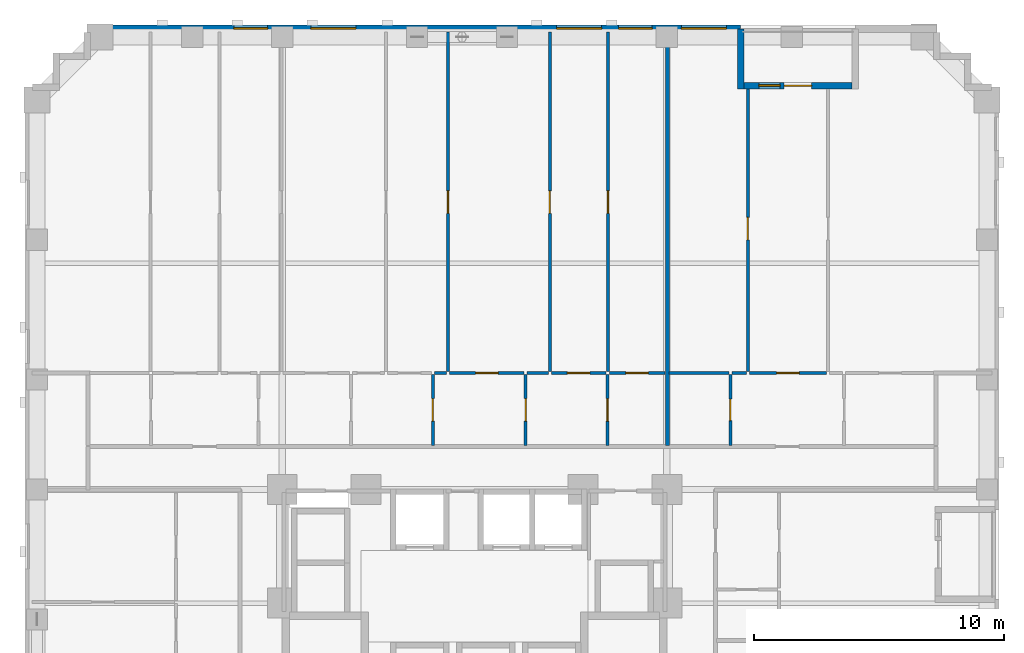
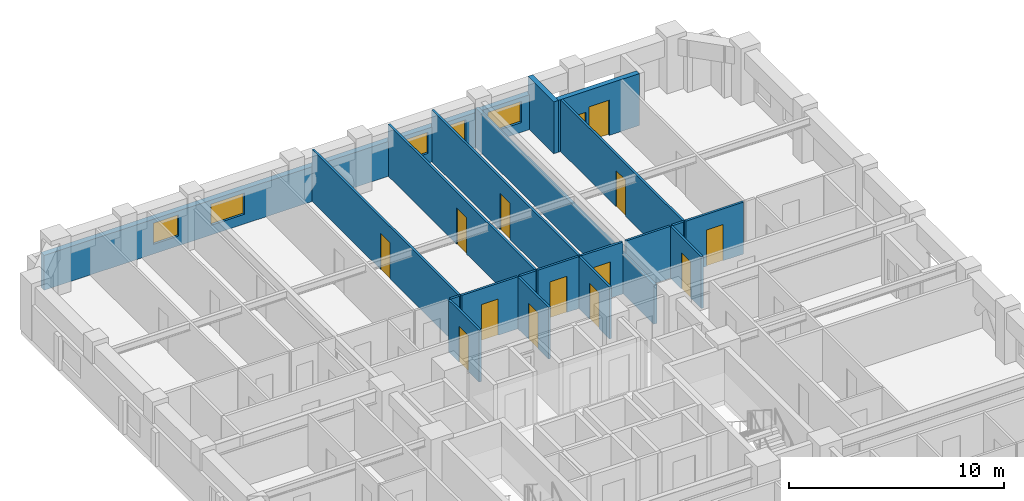
# One storey, part 8 of 14: 20 walls, 13 doors, 6 windows, 19 openings.
"""IFC4 building model written with IfcOpenShell, lengths in metres."""

from ifc_helpers import new_model, si_unit, derived_unit, direction, frame, frame_2d, origin, place, context, subcontext, project, spatial, rectangle, extrude, material, layer, layer_set, type_object, element, fill, save


model = new_model("IFC4")

# Units and contexts
model_context = context("Model", 3, precision=1e-05, world=origin(), true_north=direction((0.0, 1.0)))
body_context = subcontext(model_context, "Body", "Model", "MODEL_VIEW")
ifc_project = project(units=[si_unit("LENGTHUNIT", "METRE"), si_unit("AREAUNIT", "SQUARE_METRE"), si_unit("VOLUMEUNIT", "CUBIC_METRE"), si_unit("PLANEANGLEUNIT", "RADIAN"), si_unit("MASSUNIT", "GRAM", prefix="KILO"), derived_unit("THERMALTRANSMITTANCEUNIT", [(si_unit("MASSUNIT", "GRAM", prefix="KILO"), 1), (si_unit("TIMEUNIT", "SECOND"), -3), (si_unit("THERMODYNAMICTEMPERATUREUNIT", "KELVIN"), -1)])], contexts=[model_context])

# Site, building, storey
site_placement = place(None, origin())
site = spatial("IfcSite", under=ifc_project, at=site_placement, CompositionType="ELEMENT")
building_placement = place(site_placement, origin())
building = spatial("IfcBuilding", under=site, at=building_placement, Name="Korrvale Station Residences", CompositionType="ELEMENT")
storey_placement = place(building_placement, frame((0.0, 0.0, 48.199951171875)))
storey = spatial("IfcBuildingStorey", under=building, at=storey_placement, Name="L12", CompositionType="ELEMENT", Elevation=48.199951171875)

# Wall
ifc_material_1 = material(Name="Precast concrete C45/55", Category="concrete")
ifc_layer_1 = layer(ifc_material_1, 0.260009765625, Name="Precast concrete C45/55")
ifc_layer_set_1 = layer_set([ifc_layer_1], Name="Precast concrete C45/55")
wall_type_1 = type_object("IfcWallType", Name="WAL-EXT-LOG260", PredefinedType="SOLIDWALL", material=ifc_layer_set_1)
wall_1_placement = place(storey_placement, frame((36.14990234375, 47.43994140625, 0.0), z_axis=(0.0, 0.0, 1.0), x_axis=(0.0, -1.0, 0.0)))
element("IfcWall", 1, at=wall_1_placement, inside=storey, type_object=wall_type_1, Name="L12 Recessed Loggia Wall BAL-L12-N1-L", PredefinedType="SOLIDWALL", context=body_context, shape_type="SweptSolid", body=[
    extrude(rectangle(XDim=2.39990234375, YDim=0.260009765625, at=frame_2d((1.199951171875, 0.0))), origin(), (0.0, 0.0, 1.0), 2.93994140625),
])

# Wall, openings, door, window
wall_2_placement = place(storey_placement, frame((36.283935546875, 45.169921875, 0.0), z_axis=(0.0, 0.0, 1.0), x_axis=(1.0, 0.0, 0.0)))
wall_2 = element("IfcWall", 2, at=wall_2_placement, inside=storey, type_object=wall_type_1, Name="L12 Recessed Loggia Wall BAL-L12-N1-B", PredefinedType="SOLIDWALL", context=body_context, shape_type="SweptSolid", body=[
    extrude(rectangle(XDim=4.33203125, YDim=0.260009765625, at=frame_2d((2.166015625, 0.0))), origin(), (0.0, 0.0, 1.0), 2.93994140625),
])
opening_1_placement = place(wall_2_placement, frame((1.615966796875, 0.0, 0.0)))
opening_1 = element("IfcOpeningElement", 3, at=opening_1_placement, cuts=wall_2, Name="Opening BD-01", PredefinedType="OPENING", context=body_context, shape_type="SweptSolid", body=[
    extrude(rectangle(XDim=1.10009765625, YDim=2.0, at=frame_2d((0.550048828125, 1.0))), frame((0.0, 0.14013671875, 0.0), z_axis=(0.0, -1.0, 0.0), x_axis=(1.0, 0.0, 0.0)), (0.0, 0.0, 1.0), 0.280029296875),
])
opening_2_placement = place(wall_2_placement, frame((0.60595703125, 0.0, 0.550048828125)))
opening_2 = element("IfcOpeningElement", 4, at=opening_2_placement, cuts=wall_2, Name="Opening W-11", PredefinedType="OPENING", context=body_context, shape_type="SweptSolid", body=[
    extrude(rectangle(XDim=0.85009765625, YDim=1.199951171875, at=frame_2d((0.425048828125, 0.60009765625))), frame((0.0, 0.14013671875, 0.0), z_axis=(0.0, -1.0, 0.0), x_axis=(1.0, 0.0, 0.0)), (0.0, 0.0, 1.0), 0.280029296875),
])
ifc_material_2 = material(Name="Exterior thermally broken aluminium glazed balcony door", Category="aluminium")
door_type_1 = type_object("IfcDoorType", Name="DR-EXT-BAL", OperationType="NOTDEFINED", PredefinedType="DOOR", material=ifc_material_2)
door_1_placement = place(opening_1_placement, origin())
door_1 = element("IfcDoor", 5, at=door_1_placement, inside=storey, type_object=door_type_1, Name="L12 Loggia Balcony Door BAL-L12-N1", OperationType="SINGLE_SWING_LEFT", OverallHeight=2.0, OverallWidth=1.10009765625, PredefinedType="DOOR", context=body_context, shape_type="SweptSolid", body=[
    extrude(rectangle(XDim=1.10009765625, YDim=2.0, at=frame_2d((0.550048828125, 1.0))), frame((0.0, 0.02490234375, 0.0), z_axis=(0.0, -1.0, 0.0), x_axis=(1.0, 0.0, 0.0)), (0.0, 0.0, 1.0), 0.050048828125),
])
fill(opening_1, door_1)
ifc_material_3 = material(Name="Thermally broken aluminium frame with triple low-e glazing", Category="aluminium")
window_type_1 = type_object("IfcWindowType", Name="WIN-W11", PartitioningType="SINGLE_PANEL", PredefinedType="WINDOW", material=ifc_material_3)
window_1_placement = place(opening_2_placement, origin())
window_1 = element("IfcWindow", 6, at=window_1_placement, inside=storey, type_object=window_type_1, Name="L12 Punched Window 18", OverallHeight=1.199951171875, OverallWidth=0.85009765625, PartitioningType="SINGLE_PANEL", PredefinedType="WINDOW", context=body_context, shape_type="SweptSolid", body=[
    extrude(rectangle(XDim=0.85009765625, YDim=1.199951171875, at=frame_2d((0.425048828125, 0.60009765625))), frame((0.0, 0.030029296875, 0.0), z_axis=(0.0, -1.0, 0.0), x_axis=(1.0, 0.0, 0.0)), (0.0, 0.0, 1.0), 0.06005859375),
])
fill(opening_2, window_1)

# Wall, openings, windows
ifc_layer_2 = layer(ifc_material_1, 0.300048828125, Name="Precast concrete C45/55")
ifc_layer_set_2 = layer_set([ifc_layer_2], Name="Precast concrete C45/55")
wall_type_2 = type_object("IfcWallType", Name="WAL-EXT-PC300", PredefinedType="SOLIDWALL", material=ifc_layer_set_2)
wall_3_placement = place(storey_placement, frame((10.0, 47.449951171875, 0.0), z_axis=(0.0, 0.0, 1.0), x_axis=(1.0, 0.0, 0.0)))
wall_3 = element("IfcWall", 7, at=wall_3_placement, inside=storey, type_object=wall_type_2, Name="L12 North Exterior Precast Wall 1", PredefinedType="SOLIDWALL", context=body_context, shape_type="SweptSolid", body=[
    extrude(rectangle(XDim=26.14990234375, YDim=0.300048828125, at=frame_2d((13.074951171875, 0.0))), origin(), (0.0, 0.0, 1.0), 1.97509765625),
])
opening_3_placement = place(wall_3_placement, frame((5.862060546875, 0.0, 0.550048828125)))
opening_3 = element("IfcOpeningElement", 8, at=opening_3_placement, cuts=wall_3, Name="Opening W-10", PredefinedType="OPENING", context=body_context, shape_type="SweptSolid", body=[
    extrude(rectangle(XDim=1.35009765625, YDim=1.199951171875, at=frame_2d((0.675048828125, 0.60009765625))), frame((0.0, 0.16015625, 0.0), z_axis=(0.0, -1.0, 0.0), x_axis=(1.0, 0.0, 0.0)), (0.0, 0.0, 1.0), 0.320068359375),
])
opening_4_placement = place(wall_3_placement, frame((8.944091796875, 0.0, 0.550048828125)))
opening_4 = element("IfcOpeningElement", 9, at=opening_4_placement, cuts=wall_3, Name="Opening W-09", PredefinedType="OPENING", context=body_context, shape_type="SweptSolid", body=[
    extrude(rectangle(XDim=1.800048828125, YDim=1.199951171875, at=frame_2d((0.89990234375, 0.60009765625))), frame((0.0, 0.16015625, 0.0), z_axis=(0.0, -1.0, 0.0), x_axis=(1.0, 0.0, 0.0)), (0.0, 0.0, 1.0), 0.320068359375),
])
opening_5_placement = place(wall_3_placement, frame((18.7880859375, 0.0, 0.550048828125)))
opening_5 = element("IfcOpeningElement", 10, at=opening_5_placement, cuts=wall_3, Name="Opening W-09", PredefinedType="OPENING", context=body_context, shape_type="SweptSolid", body=[
    extrude(rectangle(XDim=1.800048828125, YDim=1.199951171875, at=frame_2d((0.89990234375, 0.60009765625))), frame((0.0, 0.16015625, 0.0), z_axis=(0.0, -1.0, 0.0), x_axis=(1.0, 0.0, 0.0)), (0.0, 0.0, 1.0), 0.320068359375),
])
opening_6_placement = place(wall_3_placement, frame((21.264892578125, 0.0, 0.550048828125)))
opening_6 = element("IfcOpeningElement", 11, at=opening_6_placement, cuts=wall_3, Name="Opening W-10", PredefinedType="OPENING", context=body_context, shape_type="SweptSolid", body=[
    extrude(rectangle(XDim=1.35009765625, YDim=1.199951171875, at=frame_2d((0.675048828125, 0.60009765625))), frame((0.0, 0.16015625, 0.0), z_axis=(0.0, -1.0, 0.0), x_axis=(1.0, 0.0, 0.0)), (0.0, 0.0, 1.0), 0.320068359375),
])
opening_7_placement = place(wall_3_placement, frame((23.784912109375, 0.0, 0.550048828125)))
opening_7 = element("IfcOpeningElement", 12, at=opening_7_placement, cuts=wall_3, Name="Opening W-09", PredefinedType="OPENING", context=body_context, shape_type="SweptSolid", body=[
    extrude(rectangle(XDim=1.800048828125, YDim=1.199951171875, at=frame_2d((0.89990234375, 0.60009765625))), frame((0.0, 0.16015625, 0.0), z_axis=(0.0, -1.0, 0.0), x_axis=(1.0, 0.0, 0.0)), (0.0, 0.0, 1.0), 0.320068359375),
])
window_type_2 = type_object("IfcWindowType", Name="WIN-W09", PartitioningType="DOUBLE_PANEL_VERTICAL", PredefinedType="WINDOW", material=ifc_material_3)
window_2_placement = place(opening_4_placement, origin())
window_2 = element("IfcWindow", 13, at=window_2_placement, inside=storey, type_object=window_type_2, Name="L12 Punched Window 14", OverallHeight=1.199951171875, OverallWidth=1.800048828125, PartitioningType="DOUBLE_PANEL_VERTICAL", PredefinedType="WINDOW", context=body_context, shape_type="SweptSolid", body=[
    extrude(rectangle(XDim=1.800048828125, YDim=1.199951171875, at=frame_2d((0.89990234375, 0.60009765625))), frame((0.0, 0.030029296875, 0.0), z_axis=(0.0, -1.0, 0.0), x_axis=(1.0, 0.0, 0.0)), (0.0, 0.0, 1.0), 0.06005859375),
])
fill(opening_4, window_2)
window_3_placement = place(opening_5_placement, origin())
window_3 = element("IfcWindow", 14, at=window_3_placement, inside=storey, type_object=window_type_2, Name="L12 Punched Window 15", OverallHeight=1.199951171875, OverallWidth=1.800048828125, PartitioningType="DOUBLE_PANEL_VERTICAL", PredefinedType="WINDOW", context=body_context, shape_type="SweptSolid", body=[
    extrude(rectangle(XDim=1.800048828125, YDim=1.199951171875, at=frame_2d((0.89990234375, 0.60009765625))), frame((0.0, 0.030029296875, 0.0), z_axis=(0.0, -1.0, 0.0), x_axis=(1.0, 0.0, 0.0)), (0.0, 0.0, 1.0), 0.06005859375),
])
fill(opening_5, window_3)
window_4_placement = place(opening_7_placement, origin())
window_4 = element("IfcWindow", 15, at=window_4_placement, inside=storey, type_object=window_type_2, Name="L12 Punched Window 17", OverallHeight=1.199951171875, OverallWidth=1.800048828125, PartitioningType="DOUBLE_PANEL_VERTICAL", PredefinedType="WINDOW", context=body_context, shape_type="SweptSolid", body=[
    extrude(rectangle(XDim=1.800048828125, YDim=1.199951171875, at=frame_2d((0.89990234375, 0.60009765625))), frame((0.0, 0.030029296875, 0.0), z_axis=(0.0, -1.0, 0.0), x_axis=(1.0, 0.0, 0.0)), (0.0, 0.0, 1.0), 0.06005859375),
])
fill(opening_7, window_4)
window_type_3 = type_object("IfcWindowType", Name="WIN-W10", PartitioningType="SINGLE_PANEL", PredefinedType="WINDOW", material=ifc_material_3)
window_5_placement = place(opening_3_placement, origin())
window_5 = element("IfcWindow", 16, at=window_5_placement, inside=storey, type_object=window_type_3, Name="L12 Punched Window 13", OverallHeight=1.199951171875, OverallWidth=1.35009765625, PartitioningType="SINGLE_PANEL", PredefinedType="WINDOW", context=body_context, shape_type="SweptSolid", body=[
    extrude(rectangle(XDim=1.35009765625, YDim=1.199951171875, at=frame_2d((0.675048828125, 0.60009765625))), frame((0.0, 0.030029296875, 0.0), z_axis=(0.0, -1.0, 0.0), x_axis=(1.0, 0.0, 0.0)), (0.0, 0.0, 1.0), 0.06005859375),
])
fill(opening_3, window_5)
window_6_placement = place(opening_6_placement, origin())
window_6 = element("IfcWindow", 17, at=window_6_placement, inside=storey, type_object=window_type_3, Name="L12 Punched Window 16", OverallHeight=1.199951171875, OverallWidth=1.35009765625, PartitioningType="SINGLE_PANEL", PredefinedType="WINDOW", context=body_context, shape_type="SweptSolid", body=[
    extrude(rectangle(XDim=1.35009765625, YDim=1.199951171875, at=frame_2d((0.675048828125, 0.60009765625))), frame((0.0, 0.030029296875, 0.0), z_axis=(0.0, -1.0, 0.0), x_axis=(1.0, 0.0, 0.0)), (0.0, 0.0, 1.0), 0.06005859375),
])
fill(opening_6, window_6)

# Wall, opening, door
ifc_material_4 = material(Name="Acoustic steel-stud gypsum board partition", Category="steel")
ifc_layer_3 = layer(ifc_material_4, 0.1201171875, Name="Acoustic steel-stud gypsum board partition")
ifc_layer_set_3 = layer_set([ifc_layer_3], Name="Acoustic steel-stud gypsum board partition")
wall_type_3 = type_object("IfcWallType", Name="WAL-PART-125", PredefinedType="PARTITIONING", material=ifc_layer_set_3)
wall_4_placement = place(storey_placement, frame((23.830078125, 30.760009765625, 0.0), z_axis=(0.0, 0.0, 1.0), x_axis=(0.0, 1.0, 0.0)))
wall_4 = element("IfcWall", 18, at=wall_4_placement, inside=storey, type_object=wall_type_3, Name="L12 Suite Partition U04-V34", PredefinedType="PARTITIONING", context=body_context, shape_type="SweptSolid", body=[
    extrude(rectangle(XDim=2.85009765625, YDim=0.1201171875, at=frame_2d((1.425048828125, 0.0))), origin(), (0.0, 0.0, 1.0), 2.93994140625),
])
opening_8_placement = place(wall_4_placement, frame((0.97509765625, 0.0, 0.0)))
opening_8 = element("IfcOpeningElement", 19, at=opening_8_placement, cuts=wall_4, Name="Opening DI-900", PredefinedType="OPENING", context=body_context, shape_type="SweptSolid", body=[
    extrude(rectangle(XDim=0.89990234375, YDim=2.050048828125, at=frame_2d((0.449951171875, 1.02490234375))), frame((0.0, 0.070068359375, 0.0), z_axis=(0.0, -1.0, 0.0), x_axis=(1.0, 0.0, 0.0)), (0.0, 0.0, 1.0), 0.14013671875),
])
ifc_material_5 = material(Name="Painted solid-core timber interior room door", Category="wood")
door_type_2 = type_object("IfcDoorType", Name="DR-INT-900", OperationType="NOTDEFINED", PredefinedType="DOOR", material=ifc_material_5)
door_2_placement = place(opening_8_placement, origin())
door_2 = element("IfcDoor", 20, at=door_2_placement, inside=storey, type_object=door_type_2, Name="L12 Apartment 2BR L12-U04 Storage Closet 2 Door", OperationType="SINGLE_SWING_RIGHT", OverallHeight=2.050048828125, OverallWidth=0.89990234375, PredefinedType="DOOR", context=body_context, shape_type="SweptSolid", body=[
    extrude(rectangle(XDim=0.89990234375, YDim=2.050048828125, at=frame_2d((0.449951171875, 1.02490234375))), frame((0.0, 0.02490234375, 0.0), z_axis=(0.0, -1.0, 0.0), x_axis=(1.0, 0.0, 0.0)), (0.0, 0.0, 1.0), 0.050048828125),
])
fill(opening_8, door_2)

wall_5_placement = place(storey_placement, frame((27.550048828125, 30.760009765625, 0.0), z_axis=(0.0, 0.0, 1.0), x_axis=(0.0, 1.0, 0.0)))
wall_5 = element("IfcWall", 21, at=wall_5_placement, inside=storey, type_object=wall_type_3, Name="L12 Suite Partition U04-V45", PredefinedType="PARTITIONING", context=body_context, shape_type="SweptSolid", body=[
    extrude(rectangle(XDim=2.85009765625, YDim=0.1201171875, at=frame_2d((1.425048828125, 0.0))), origin(), (0.0, 0.0, 1.0), 2.93994140625),
])
opening_9_placement = place(wall_5_placement, frame((0.97509765625, 0.0, 0.0)))
opening_9 = element("IfcOpeningElement", 22, at=opening_9_placement, cuts=wall_5, Name="Opening DI-900", PredefinedType="OPENING", context=body_context, shape_type="SweptSolid", body=[
    extrude(rectangle(XDim=0.89990234375, YDim=2.050048828125, at=frame_2d((0.449951171875, 1.02490234375))), frame((0.0, 0.070068359375, 0.0), z_axis=(0.0, -1.0, 0.0), x_axis=(1.0, 0.0, 0.0)), (0.0, 0.0, 1.0), 0.14013671875),
])
door_3_placement = place(opening_9_placement, origin())
door_3 = element("IfcDoor", 23, at=door_3_placement, inside=storey, type_object=door_type_2, Name="L12 Apartment 2BR L12-U04 Storage Closet 3 Door", OperationType="SINGLE_SWING_LEFT", OverallHeight=2.050048828125, OverallWidth=0.89990234375, PredefinedType="DOOR", context=body_context, shape_type="SweptSolid", body=[
    extrude(rectangle(XDim=0.89990234375, YDim=2.050048828125, at=frame_2d((0.449951171875, 1.02490234375))), frame((0.0, 0.02490234375, 0.0), z_axis=(0.0, -1.0, 0.0), x_axis=(1.0, 0.0, 0.0)), (0.0, 0.0, 1.0), 0.050048828125),
])
fill(opening_9, door_3)

# Wall
wall_6_placement = place(storey_placement, frame((23.889892578125, 33.669921875, 0.0), z_axis=(0.0, 0.0, 1.0), x_axis=(1.0, 0.0, 0.0)))
element("IfcWall", 24, at=wall_6_placement, inside=storey, type_object=wall_type_3, Name="L12 Suite Partition U04-H411", PredefinedType="PARTITIONING", context=body_context, shape_type="SweptSolid", body=[
    extrude(rectangle(XDim=0.483154296875, YDim=0.1201171875, at=frame_2d((0.24169921875, 0.0))), origin(), (0.0, 0.0, 1.0), 2.93994140625),
])

# Wall, opening, door
wall_7_placement = place(storey_placement, frame((24.492919921875, 33.669921875, 0.0), z_axis=(0.0, 0.0, 1.0), x_axis=(1.0, 0.0, 0.0)))
wall_7 = element("IfcWall", 25, at=wall_7_placement, inside=storey, type_object=wall_type_3, Name="L12 Suite Partition U04-H412", PredefinedType="PARTITIONING", context=body_context, shape_type="SweptSolid", body=[
    extrude(rectangle(XDim=2.9970703125, YDim=0.1201171875, at=frame_2d((1.49853515625, 0.0))), origin(), (0.0, 0.0, 1.0), 2.93994140625),
])
opening_10_placement = place(wall_7_placement, frame((1.048095703125, 0.0, 0.0)))
opening_10 = element("IfcOpeningElement", 26, at=opening_10_placement, cuts=wall_7, Name="Opening DI-900", PredefinedType="OPENING", context=body_context, shape_type="SweptSolid", body=[
    extrude(rectangle(XDim=0.89990234375, YDim=2.050048828125, at=frame_2d((0.449951171875, 1.02490234375))), frame((0.0, 0.070068359375, 0.0), z_axis=(0.0, -1.0, 0.0), x_axis=(1.0, 0.0, 0.0)), (0.0, 0.0, 1.0), 0.14013671875),
])
door_4_placement = place(opening_10_placement, origin())
door_4 = element("IfcDoor", 27, at=door_4_placement, inside=storey, type_object=door_type_2, Name="L12 Apartment 2BR L12-U04 Storage Closet 3 Door", OperationType="SINGLE_SWING_RIGHT", OverallHeight=2.050048828125, OverallWidth=0.89990234375, PredefinedType="DOOR", context=body_context, shape_type="SweptSolid", body=[
    extrude(rectangle(XDim=0.89990234375, YDim=2.050048828125, at=frame_2d((0.449951171875, 1.02490234375))), frame((0.0, 0.02490234375, 0.0), z_axis=(0.0, -1.0, 0.0), x_axis=(1.0, 0.0, 0.0)), (0.0, 0.0, 1.0), 0.050048828125),
])
fill(opening_10, door_4)

wall_8_placement = place(storey_placement, frame((30.820068359375, 30.760009765625, 0.0), z_axis=(0.0, 0.0, 1.0), x_axis=(0.0, 1.0, 0.0)))
wall_8 = element("IfcWall", 28, at=wall_8_placement, inside=storey, type_object=wall_type_3, Name="L12 Suite Partition U04-V56", PredefinedType="PARTITIONING", context=body_context, shape_type="SweptSolid", body=[
    extrude(rectangle(XDim=2.85009765625, YDim=0.1201171875, at=frame_2d((1.425048828125, 0.0))), origin(), (0.0, 0.0, 1.0), 2.93994140625),
])
opening_11_placement = place(wall_8_placement, frame((0.97509765625, 0.0, 0.0)))
opening_11 = element("IfcOpeningElement", 29, at=opening_11_placement, cuts=wall_8, Name="Opening DI-900", PredefinedType="OPENING", context=body_context, shape_type="SweptSolid", body=[
    extrude(rectangle(XDim=0.89990234375, YDim=2.050048828125, at=frame_2d((0.449951171875, 1.02490234375))), frame((0.0, 0.070068359375, 0.0), z_axis=(0.0, -1.0, 0.0), x_axis=(1.0, 0.0, 0.0)), (0.0, 0.0, 1.0), 0.14013671875),
])
door_5_placement = place(opening_11_placement, origin())
door_5 = element("IfcDoor", 30, at=door_5_placement, inside=storey, type_object=door_type_2, Name="L12 Apartment 2BR L12-U04 Storage Closet 4 Door", OperationType="SINGLE_SWING_LEFT", OverallHeight=2.050048828125, OverallWidth=0.89990234375, PredefinedType="DOOR", context=body_context, shape_type="SweptSolid", body=[
    extrude(rectangle(XDim=0.89990234375, YDim=2.050048828125, at=frame_2d((0.449951171875, 1.02490234375))), frame((0.0, 0.02490234375, 0.0), z_axis=(0.0, -1.0, 0.0), x_axis=(1.0, 0.0, 0.0)), (0.0, 0.0, 1.0), 0.050048828125),
])
fill(opening_11, door_5)

# Wall
wall_9_placement = place(storey_placement, frame((27.610107421875, 33.669921875, 0.0), z_axis=(0.0, 0.0, 1.0), x_axis=(1.0, 0.0, 0.0)))
element("IfcWall", 31, at=wall_9_placement, inside=storey, type_object=wall_type_3, Name="L12 Suite Partition U04-H512", PredefinedType="PARTITIONING", context=body_context, shape_type="SweptSolid", body=[
    extrude(rectangle(XDim=0.844970703125, YDim=0.1201171875, at=frame_2d((0.42236328125, 0.0))), origin(), (0.0, 0.0, 1.0), 2.93994140625),
])

# Wall, opening, door
wall_10_placement = place(storey_placement, frame((28.574951171875, 33.669921875, 0.0), z_axis=(0.0, 0.0, 1.0), x_axis=(1.0, 0.0, 0.0)))
wall_10 = element("IfcWall", 32, at=wall_10_placement, inside=storey, type_object=wall_type_3, Name="L12 Suite Partition U04-H513", PredefinedType="PARTITIONING", context=body_context, shape_type="SweptSolid", body=[
    extrude(rectangle(XDim=2.18505859375, YDim=0.1201171875, at=frame_2d((1.092529296875, 0.0))), origin(), (0.0, 0.0, 1.0), 2.93994140625),
])
opening_12_placement = place(wall_10_placement, frame((0.64306640625, 0.0, 0.0)))
opening_12 = element("IfcOpeningElement", 33, at=opening_12_placement, cuts=wall_10, Name="Opening DI-900", PredefinedType="OPENING", context=body_context, shape_type="SweptSolid", body=[
    extrude(rectangle(XDim=0.89990234375, YDim=2.050048828125, at=frame_2d((0.449951171875, 1.02490234375))), frame((0.0, 0.070068359375, 0.0), z_axis=(0.0, -1.0, 0.0), x_axis=(1.0, 0.0, 0.0)), (0.0, 0.0, 1.0), 0.14013671875),
])
door_6_placement = place(opening_12_placement, origin())
door_6 = element("IfcDoor", 34, at=door_6_placement, inside=storey, type_object=door_type_2, Name="L12 Apartment 2BR L12-U04 Storage Closet 4 Door", OperationType="SINGLE_SWING_RIGHT", OverallHeight=2.050048828125, OverallWidth=0.89990234375, PredefinedType="DOOR", context=body_context, shape_type="SweptSolid", body=[
    extrude(rectangle(XDim=0.89990234375, YDim=2.050048828125, at=frame_2d((0.449951171875, 1.02490234375))), frame((0.0, 0.02490234375, 0.0), z_axis=(0.0, -1.0, 0.0), x_axis=(1.0, 0.0, 0.0)), (0.0, 0.0, 1.0), 0.050048828125),
])
fill(opening_12, door_6)

wall_11_placement = place(storey_placement, frame((30.907958984375, 33.669921875, 0.0), z_axis=(0.0, 0.0, 1.0), x_axis=(1.0, 0.0, 0.0)))
wall_11 = element("IfcWall", 35, at=wall_11_placement, inside=storey, type_object=wall_type_3, Name="L12 Suite Partition U04-H614", PredefinedType="PARTITIONING", context=body_context, shape_type="SweptSolid", body=[
    extrude(rectangle(XDim=2.212158203125, YDim=0.1201171875, at=frame_2d((1.10595703125, 0.0))), origin(), (0.0, 0.0, 1.0), 2.93994140625),
])
opening_13_placement = place(wall_11_placement, frame((0.656005859375, 0.0, 0.0)))
opening_13 = element("IfcOpeningElement", 36, at=opening_13_placement, cuts=wall_11, Name="Opening DI-900", PredefinedType="OPENING", context=body_context, shape_type="SweptSolid", body=[
    extrude(rectangle(XDim=0.89990234375, YDim=2.050048828125, at=frame_2d((0.449951171875, 1.02490234375))), frame((0.0, 0.070068359375, 0.0), z_axis=(0.0, -1.0, 0.0), x_axis=(1.0, 0.0, 0.0)), (0.0, 0.0, 1.0), 0.14013671875),
])
door_7_placement = place(opening_13_placement, origin())
door_7 = element("IfcDoor", 37, at=door_7_placement, inside=storey, type_object=door_type_2, Name="L12 Apartment 2BR L12-U04 Storage Closet 5 Door", OperationType="SINGLE_SWING_LEFT", OverallHeight=2.050048828125, OverallWidth=0.89990234375, PredefinedType="DOOR", context=body_context, shape_type="SweptSolid", body=[
    extrude(rectangle(XDim=0.89990234375, YDim=2.050048828125, at=frame_2d((0.449951171875, 1.02490234375))), frame((0.0, 0.02490234375, 0.0), z_axis=(0.0, -1.0, 0.0), x_axis=(1.0, 0.0, 0.0)), (0.0, 0.0, 1.0), 0.050048828125),
])
fill(opening_13, door_7)

wall_12_placement = place(storey_placement, frame((24.43310546875, 33.72998046875, 0.0), z_axis=(0.0, 0.0, 1.0), x_axis=(0.0, 1.0, 0.0)))
wall_12 = element("IfcWall", 38, at=wall_12_placement, inside=storey, type_object=wall_type_3, Name="L12 Suite Partition U04-V1112", PredefinedType="PARTITIONING", context=body_context, shape_type="SweptSolid", body=[
    extrude(rectangle(XDim=13.590087890625, YDim=0.1201171875, at=frame_2d((6.794921875, 0.0))), origin(), (0.0, 0.0, 1.0), 2.93994140625),
])
opening_14_placement = place(wall_12_placement, frame((6.330078125, 0.0, 0.0)))
opening_14 = element("IfcOpeningElement", 39, at=opening_14_placement, cuts=wall_12, Name="Opening DI-900", PredefinedType="OPENING", context=body_context, shape_type="SweptSolid", body=[
    extrude(rectangle(XDim=0.89990234375, YDim=2.050048828125, at=frame_2d((0.449951171875, 1.02490234375))), frame((0.0, 0.070068359375, 0.0), z_axis=(0.0, -1.0, 0.0), x_axis=(1.0, 0.0, 0.0)), (0.0, 0.0, 1.0), 0.14013671875),
])
door_8_placement = place(opening_14_placement, origin())
door_8 = element("IfcDoor", 40, at=door_8_placement, inside=storey, type_object=door_type_2, Name="L12 Apartment 2BR L12-U04 Wardrobe Storage Room Door", OperationType="SINGLE_SWING_RIGHT", OverallHeight=2.050048828125, OverallWidth=0.89990234375, PredefinedType="DOOR", context=body_context, shape_type="SweptSolid", body=[
    extrude(rectangle(XDim=0.89990234375, YDim=2.050048828125, at=frame_2d((0.449951171875, 1.02490234375))), frame((0.0, 0.02490234375, 0.0), z_axis=(0.0, -1.0, 0.0), x_axis=(1.0, 0.0, 0.0)), (0.0, 0.0, 1.0), 0.050048828125),
])
fill(opening_14, door_8)

wall_13_placement = place(storey_placement, frame((28.514892578125, 33.72998046875, 0.0), z_axis=(0.0, 0.0, 1.0), x_axis=(0.0, 1.0, 0.0)))
wall_13 = element("IfcWall", 41, at=wall_13_placement, inside=storey, type_object=wall_type_3, Name="L12 Suite Partition U04-V1213", PredefinedType="PARTITIONING", context=body_context, shape_type="SweptSolid", body=[
    extrude(rectangle(XDim=13.590087890625, YDim=0.1201171875, at=frame_2d((6.794921875, 0.0))), origin(), (0.0, 0.0, 1.0), 2.93994140625),
])
opening_15_placement = place(wall_13_placement, frame((6.330078125, 0.0, 0.0)))
opening_15 = element("IfcOpeningElement", 42, at=opening_15_placement, cuts=wall_13, Name="Opening DI-900", PredefinedType="OPENING", context=body_context, shape_type="SweptSolid", body=[
    extrude(rectangle(XDim=0.89990234375, YDim=2.050048828125, at=frame_2d((0.449951171875, 1.02490234375))), frame((0.0, 0.070068359375, 0.0), z_axis=(0.0, -1.0, 0.0), x_axis=(1.0, 0.0, 0.0)), (0.0, 0.0, 1.0), 0.14013671875),
])
door_9_placement = place(opening_15_placement, origin())
door_9 = element("IfcDoor", 43, at=door_9_placement, inside=storey, type_object=door_type_2, Name="L12 Apartment 2BR L12-U04 Wardrobe Storage Room Door", OperationType="SINGLE_SWING_LEFT", OverallHeight=2.050048828125, OverallWidth=0.89990234375, PredefinedType="DOOR", context=body_context, shape_type="SweptSolid", body=[
    extrude(rectangle(XDim=0.89990234375, YDim=2.050048828125, at=frame_2d((0.449951171875, 1.02490234375))), frame((0.0, 0.02490234375, 0.0), z_axis=(0.0, -1.0, 0.0), x_axis=(1.0, 0.0, 0.0)), (0.0, 0.0, 1.0), 0.050048828125),
])
fill(opening_15, door_9)

wall_14_placement = place(storey_placement, frame((30.847900390625, 33.72998046875, 0.0), z_axis=(0.0, 0.0, 1.0), x_axis=(0.0, 1.0, 0.0)))
wall_14 = element("IfcWall", 44, at=wall_14_placement, inside=storey, type_object=wall_type_3, Name="L12 Suite Partition U04-V1314", PredefinedType="PARTITIONING", context=body_context, shape_type="SweptSolid", body=[
    extrude(rectangle(XDim=13.590087890625, YDim=0.1201171875, at=frame_2d((6.794921875, 0.0))), origin(), (0.0, 0.0, 1.0), 2.93994140625),
])
opening_16_placement = place(wall_14_placement, frame((6.330078125, 0.0, 0.0)))
opening_16 = element("IfcOpeningElement", 45, at=opening_16_placement, cuts=wall_14, Name="Opening DI-900", PredefinedType="OPENING", context=body_context, shape_type="SweptSolid", body=[
    extrude(rectangle(XDim=0.89990234375, YDim=2.050048828125, at=frame_2d((0.449951171875, 1.02490234375))), frame((0.0, 0.070068359375, 0.0), z_axis=(0.0, -1.0, 0.0), x_axis=(1.0, 0.0, 0.0)), (0.0, 0.0, 1.0), 0.14013671875),
])
door_10_placement = place(opening_16_placement, origin())
door_10 = element("IfcDoor", 46, at=door_10_placement, inside=storey, type_object=door_type_2, Name="L12 Apartment 2BR L12-U04 Bedroom 1 Door", OperationType="SINGLE_SWING_RIGHT", OverallHeight=2.050048828125, OverallWidth=0.89990234375, PredefinedType="DOOR", context=body_context, shape_type="SweptSolid", body=[
    extrude(rectangle(XDim=0.89990234375, YDim=2.050048828125, at=frame_2d((0.449951171875, 1.02490234375))), frame((0.0, 0.02490234375, 0.0), z_axis=(0.0, -1.0, 0.0), x_axis=(1.0, 0.0, 0.0)), (0.0, 0.0, 1.0), 0.050048828125),
])
fill(opening_16, door_10)

wall_15_placement = place(storey_placement, frame((35.739990234375, 30.760009765625, 0.0), z_axis=(0.0, 0.0, 1.0), x_axis=(0.0, 1.0, 0.0)))
wall_15 = element("IfcWall", 47, at=wall_15_placement, inside=storey, type_object=wall_type_3, Name="L12 Suite Partition U05-V01", PredefinedType="PARTITIONING", context=body_context, shape_type="SweptSolid", body=[
    extrude(rectangle(XDim=2.85009765625, YDim=0.1201171875, at=frame_2d((1.425048828125, 0.0))), origin(), (0.0, 0.0, 1.0), 2.93994140625),
])
opening_17_placement = place(wall_15_placement, frame((0.9951171875, 0.0, 0.0)))
opening_17 = element("IfcOpeningElement", 48, at=opening_17_placement, cuts=wall_15, Name="Opening DB-860", PredefinedType="OPENING", context=body_context, shape_type="SweptSolid", body=[
    extrude(rectangle(XDim=0.860107421875, YDim=2.050048828125, at=frame_2d((0.43017578125, 1.02490234375))), frame((0.0, 0.070068359375, 0.0), z_axis=(0.0, -1.0, 0.0), x_axis=(1.0, 0.0, 0.0)), (0.0, 0.0, 1.0), 0.14013671875),
])
ifc_material_6 = material(Name="Moisture-resistant solid-core bathroom door", Category="timber")
door_type_3 = type_object("IfcDoorType", Name="DR-BATH-860", OperationType="NOTDEFINED", PredefinedType="DOOR", material=ifc_material_6)
door_11_placement = place(opening_17_placement, origin())
door_11 = element("IfcDoor", 49, at=door_11_placement, inside=storey, type_object=door_type_3, Name="L12 Studio Apartment L12-U05 Bathroom Door", OperationType="SINGLE_SWING_LEFT", OverallHeight=2.050048828125, OverallWidth=0.860107421875, PredefinedType="DOOR", context=body_context, shape_type="SweptSolid", body=[
    extrude(rectangle(XDim=0.860107421875, YDim=2.050048828125, at=frame_2d((0.43017578125, 1.02490234375))), frame((0.0, 0.02490234375, 0.0), z_axis=(0.0, -1.0, 0.0), x_axis=(1.0, 0.0, 0.0)), (0.0, 0.0, 1.0), 0.050048828125),
])
fill(opening_17, door_11)

# Walls
wall_16_placement = place(storey_placement, frame((33.280029296875, 33.669921875, 0.0), z_axis=(0.0, 0.0, 1.0), x_axis=(1.0, 0.0, 0.0)))
element("IfcWall", 50, at=wall_16_placement, inside=storey, type_object=wall_type_3, Name="L12 Suite Partition U05-H03", PredefinedType="PARTITIONING", context=body_context, shape_type="SweptSolid", body=[
    extrude(rectangle(XDim=2.39990234375, YDim=0.1201171875, at=frame_2d((1.199951171875, 0.0))), origin(), (0.0, 0.0, 1.0), 2.93994140625),
])
wall_17_placement = place(storey_placement, frame((35.800048828125, 33.669921875, 0.0), z_axis=(0.0, 0.0, 1.0), x_axis=(1.0, 0.0, 0.0)))
element("IfcWall", 51, at=wall_17_placement, inside=storey, type_object=wall_type_3, Name="L12 Suite Partition U05-H13", PredefinedType="PARTITIONING", context=body_context, shape_type="SweptSolid", body=[
    extrude(rectangle(XDim=0.579833984375, YDim=0.1201171875, at=frame_2d((0.2900390625, 0.0))), origin(), (0.0, 0.0, 1.0), 2.93994140625),
])

# Wall, opening, door
wall_18_placement = place(storey_placement, frame((36.5, 33.669921875, 0.0), z_axis=(0.0, 0.0, 1.0), x_axis=(1.0, 0.0, 0.0)))
wall_18 = element("IfcWall", 52, at=wall_18_placement, inside=storey, type_object=wall_type_3, Name="L12 Suite Partition U05-H14", PredefinedType="PARTITIONING", context=body_context, shape_type="SweptSolid", body=[
    extrude(rectangle(XDim=3.10009765625, YDim=0.1201171875, at=frame_2d((1.550048828125, 0.0))), origin(), (0.0, 0.0, 1.0), 2.93994140625),
])
opening_18_placement = place(wall_18_placement, frame((1.10009765625, 0.0, 0.0)))
opening_18 = element("IfcOpeningElement", 53, at=opening_18_placement, cuts=wall_18, Name="Opening DI-900", PredefinedType="OPENING", context=body_context, shape_type="SweptSolid", body=[
    extrude(rectangle(XDim=0.89990234375, YDim=2.050048828125, at=frame_2d((0.449951171875, 1.02490234375))), frame((0.0, 0.070068359375, 0.0), z_axis=(0.0, -1.0, 0.0), x_axis=(1.0, 0.0, 0.0)), (0.0, 0.0, 1.0), 0.14013671875),
])
door_12_placement = place(opening_18_placement, origin())
door_12 = element("IfcDoor", 54, at=door_12_placement, inside=storey, type_object=door_type_2, Name="L12 Studio Apartment L12-U05 Kitchen Door", OperationType="SINGLE_SWING_LEFT", OverallHeight=2.050048828125, OverallWidth=0.89990234375, PredefinedType="DOOR", context=body_context, shape_type="SweptSolid", body=[
    extrude(rectangle(XDim=0.89990234375, YDim=2.050048828125, at=frame_2d((0.449951171875, 1.02490234375))), frame((0.0, 0.02490234375, 0.0), z_axis=(0.0, -1.0, 0.0), x_axis=(1.0, 0.0, 0.0)), (0.0, 0.0, 1.0), 0.050048828125),
])
fill(opening_18, door_12)

wall_19_placement = place(storey_placement, frame((36.43994140625, 33.72998046875, 0.0), z_axis=(0.0, 0.0, 1.0), x_axis=(0.0, 1.0, 0.0)))
wall_19 = element("IfcWall", 55, at=wall_19_placement, inside=storey, type_object=wall_type_3, Name="L12 Suite Partition U05-V34", PredefinedType="PARTITIONING", context=body_context, shape_type="SweptSolid", body=[
    extrude(rectangle(XDim=11.43994140625, YDim=0.1201171875, at=frame_2d((5.719970703125, 0.0))), origin(), (0.0, 0.0, 1.0), 2.93994140625),
])
opening_19_placement = place(wall_19_placement, frame((5.27001953125, 0.0, 0.0)))
opening_19 = element("IfcOpeningElement", 56, at=opening_19_placement, cuts=wall_19, Name="Opening DI-900", PredefinedType="OPENING", context=body_context, shape_type="SweptSolid", body=[
    extrude(rectangle(XDim=0.89990234375, YDim=2.050048828125, at=frame_2d((0.449951171875, 1.02490234375))), frame((0.0, 0.070068359375, 0.0), z_axis=(0.0, -1.0, 0.0), x_axis=(1.0, 0.0, 0.0)), (0.0, 0.0, 1.0), 0.14013671875),
])
door_13_placement = place(opening_19_placement, origin())
door_13 = element("IfcDoor", 57, at=door_13_placement, inside=storey, type_object=door_type_2, Name="L12 Studio Apartment L12-U05 Walk-In Wardrobe Door", OperationType="SINGLE_SWING_LEFT", OverallHeight=2.050048828125, OverallWidth=0.89990234375, PredefinedType="DOOR", context=body_context, shape_type="SweptSolid", body=[
    extrude(rectangle(XDim=0.89990234375, YDim=2.050048828125, at=frame_2d((0.449951171875, 1.02490234375))), frame((0.0, 0.02490234375, 0.0), z_axis=(0.0, -1.0, 0.0), x_axis=(1.0, 0.0, 0.0)), (0.0, 0.0, 1.0), 0.050048828125),
])
fill(opening_19, door_13)

# Wall
ifc_material_7 = material(Name="Fire-rated twin-stud gypsum and mineral wool shaftwall assembly", Category="gypsum")
ifc_layer_4 = layer(ifc_material_7, 0.159912109375, Name="Fire-rated twin-stud gypsum and mineral wool shaftwall assembly")
ifc_layer_set_4 = layer_set([ifc_layer_4], Name="Fire-rated twin-stud gypsum and mineral wool shaftwall assembly")
wall_type_4 = type_object("IfcWallType", Name="WAL-PART-200", PredefinedType="PARTITIONING", material=ifc_layer_set_4)
wall_20_placement = place(storey_placement, frame((33.219970703125, 30.760009765625, 0.0), z_axis=(0.0, 0.0, 1.0), x_axis=(0.0, 1.0, 0.0)))
element("IfcWall", 58, at=wall_20_placement, inside=storey, type_object=wall_type_4, Name="L12 Demising Wall U05-W", PredefinedType="PARTITIONING", context=body_context, shape_type="SweptSolid", body=[
    extrude(rectangle(XDim=16.56005859375, YDim=0.159912109375, at=frame_2d((8.280029296875, 0.0))), origin(), (0.0, 0.0, 1.0), 2.23193359375),
])

save(model, "model.ifc")
